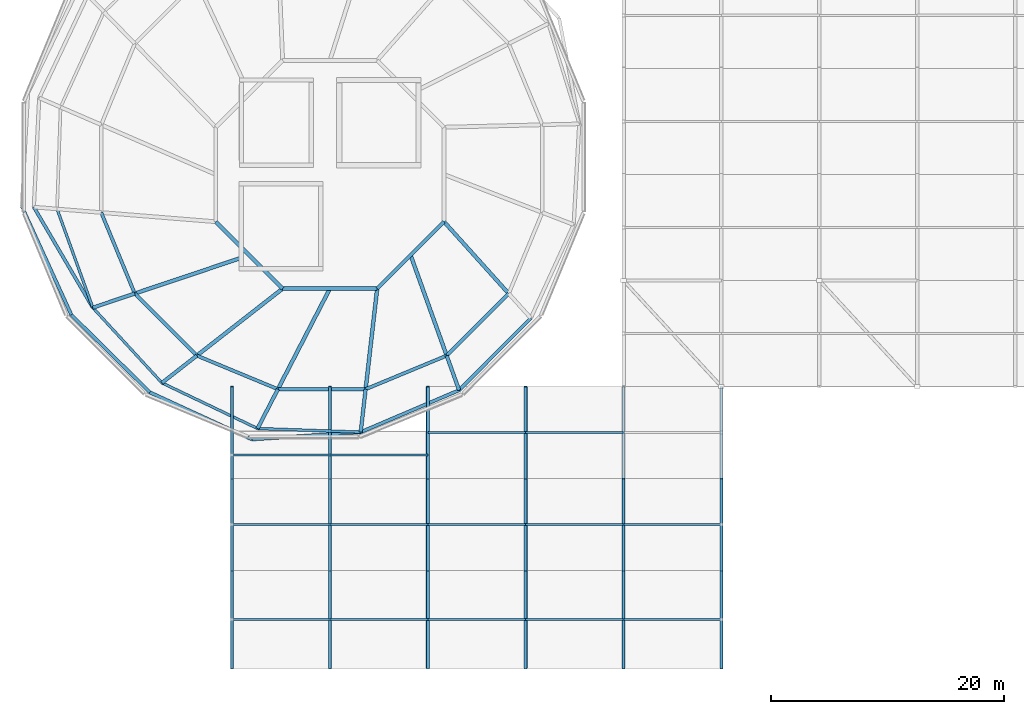
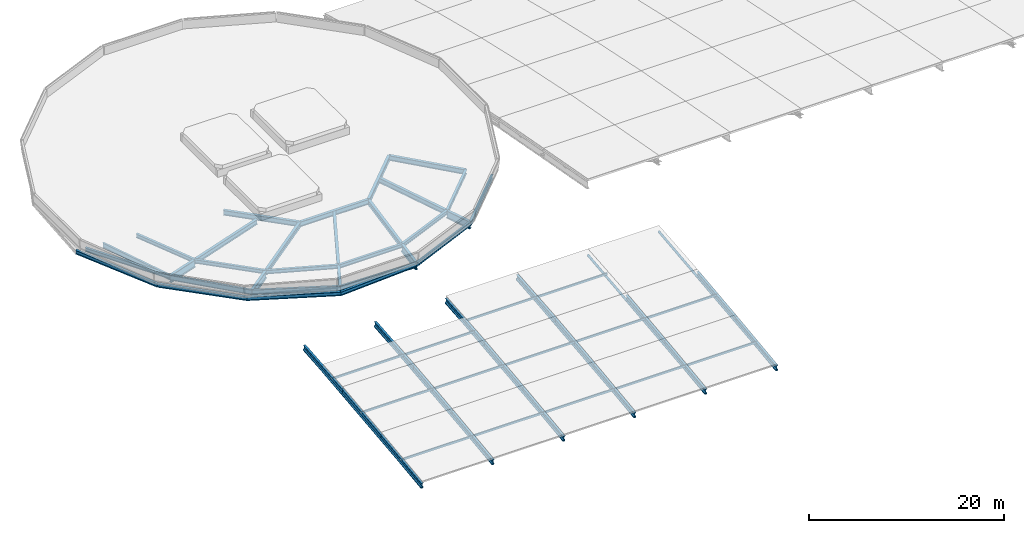
# One storey, part 1 of 12: 47 beams, 20 members.
"""IFC4 building model written with IfcOpenShell, lengths in metres."""

from ifc_helpers import new_model, si_unit, derived_unit, direction, frame, origin, origin_2d, place, context, subcontext, project, spatial, hollow_rectangle, hollow_circle, i_section, extrude, material, material_profile, profile_set, type_object, element, save


model = new_model("IFC4")

# Units and contexts
model_context = context("Model", 3, precision=1e-05, world=origin(), true_north=direction((0.0, 1.0)))
body_context = subcontext(model_context, "Body", "Model", "MODEL_VIEW")
ifc_project = project(units=[si_unit("LENGTHUNIT", "METRE"), si_unit("AREAUNIT", "SQUARE_METRE"), si_unit("VOLUMEUNIT", "CUBIC_METRE"), si_unit("PLANEANGLEUNIT", "RADIAN"), si_unit("MASSUNIT", "GRAM", prefix="KILO"), derived_unit("THERMALTRANSMITTANCEUNIT", [(si_unit("MASSUNIT", "GRAM", prefix="KILO"), 1), (si_unit("TIMEUNIT", "SECOND"), -3), (si_unit("THERMODYNAMICTEMPERATUREUNIT", "KELVIN"), -1)])], contexts=[model_context])

# Site, building, storey
site_placement = place(None, origin())
site = spatial("IfcSite", under=ifc_project, at=site_placement, CompositionType="ELEMENT")
building_placement = place(site_placement, origin())
building = spatial("IfcBuilding", under=site, at=building_placement, Name="Makaiwela Harbour Ferry Terminal", CompositionType="ELEMENT")
storey_placement = place(building_placement, frame((0.0, 0.0, 25.5)))
storey = spatial("IfcBuildingStorey", under=building, at=storey_placement, Name="ROOF", CompositionType="ELEMENT", Elevation=25.5)

# Beams
ifc_material_1 = material(Name="Steel ASTM A992 Grade 50", Category="steel")
ifc_material_profile_1 = material_profile(ifc_material_1, i_section(OverallWidth=0.256103515625, OverallDepth=0.693115234375, WebThickness=0.014404296875, FlangeThickness=0.023681640625, at=origin_2d()), Name="W27X114")
ifc_profile_set_1 = profile_set([ifc_material_profile_1], Name="Steel ASTM A992 Grade 50")
beam_type_1 = type_object("IfcBeamType", Name="STR-ARC-W27X114", PredefinedType="USERDEFINED", material=ifc_profile_set_1)
beam_1_placement = place(storey_placement, frame((29.39990234375, 25.199951171875, -12.23193359375), z_axis=(0.0, 0.992277433024, 0.124038284054), x_axis=(-1.0, 0.0, 0.0)))
element("IfcBeam", 1, at=beam_1_placement, inside=storey, type_object=beam_type_1, Name="Arrivals vault arch rib 5-1", ObjectType="ARCH SEGMENT", PredefinedType="USERDEFINED", context=body_context, shape_type="SweptSolid", body=[
    extrude(i_section(OverallWidth=0.256103515625, OverallDepth=0.693115234375, WebThickness=0.014404296875, FlangeThickness=0.023681640625, at=origin_2d()), origin(), (0.0, 0.0, 1.0), 8.465576171875),
])
beam_2_placement = place(storey_placement, frame((29.39990234375, 33.60009765625, -11.181640625), z_axis=(0.0, 0.993574371107, 0.113181133936), x_axis=(-1.0, 0.0, 0.0)))
element("IfcBeam", 2, at=beam_2_placement, inside=storey, type_object=beam_type_1, Name="Arrivals vault arch rib 5-2", ObjectType="ARCH SEGMENT", PredefinedType="USERDEFINED", context=body_context, shape_type="SweptSolid", body=[
    extrude(i_section(OverallWidth=0.256103515625, OverallDepth=0.693115234375, WebThickness=0.014404296875, FlangeThickness=0.023681640625, at=origin_2d()), origin(), (0.0, 0.0, 1.0), 7.950927734375),
])
beam_3_placement = place(storey_placement, frame((29.39990234375, 41.5, -10.28125), z_axis=(0.0, 0.996097758322, 0.088256761021), x_axis=(-1.0, 0.0, 0.0)))
element("IfcBeam", 3, at=beam_3_placement, inside=storey, type_object=beam_type_1, Name="Arrivals vault arch rib 5-3", ObjectType="ARCH SEGMENT", PredefinedType="USERDEFINED", context=body_context, shape_type="SweptSolid", body=[
    extrude(i_section(OverallWidth=0.256103515625, OverallDepth=0.693115234375, WebThickness=0.014404296875, FlangeThickness=0.023681640625, at=origin_2d()), origin(), (0.0, 0.0, 1.0), 7.930908203125),
])
beam_4_placement = place(storey_placement, frame((37.800048828125, 25.199951171875, -12.23193359375), z_axis=(0.0, 0.992277433024, 0.124038284054), x_axis=(-1.0, 0.0, 0.0)))
element("IfcBeam", 4, at=beam_4_placement, inside=storey, type_object=beam_type_1, Name="Arrivals vault arch rib 6-1", ObjectType="ARCH SEGMENT", PredefinedType="USERDEFINED", context=body_context, shape_type="SweptSolid", body=[
    extrude(i_section(OverallWidth=0.256103515625, OverallDepth=0.693115234375, WebThickness=0.014404296875, FlangeThickness=0.023681640625, at=origin_2d()), origin(), (0.0, 0.0, 1.0), 8.465576171875),
])
beam_5_placement = place(storey_placement, frame((37.800048828125, 33.60009765625, -11.181640625), z_axis=(0.0, 0.993574371107, 0.113181133936), x_axis=(-1.0, 0.0, 0.0)))
element("IfcBeam", 5, at=beam_5_placement, inside=storey, type_object=beam_type_1, Name="Arrivals vault arch rib 6-2", ObjectType="ARCH SEGMENT", PredefinedType="USERDEFINED", context=body_context, shape_type="SweptSolid", body=[
    extrude(i_section(OverallWidth=0.256103515625, OverallDepth=0.693115234375, WebThickness=0.014404296875, FlangeThickness=0.023681640625, at=origin_2d()), origin(), (0.0, 0.0, 1.0), 7.950927734375),
])
beam_6_placement = place(storey_placement, frame((37.800048828125, 41.5, -10.28125), z_axis=(0.0, 0.996097758322, 0.088256761021), x_axis=(-1.0, 0.0, 0.0)))
element("IfcBeam", 6, at=beam_6_placement, inside=storey, type_object=beam_type_1, Name="Arrivals vault arch rib 6-3", ObjectType="ARCH SEGMENT", PredefinedType="USERDEFINED", context=body_context, shape_type="SweptSolid", body=[
    extrude(i_section(OverallWidth=0.256103515625, OverallDepth=0.693115234375, WebThickness=0.014404296875, FlangeThickness=0.023681640625, at=origin_2d()), origin(), (0.0, 0.0, 1.0), 7.930908203125),
])
beam_7_placement = place(storey_placement, frame((46.199951171875, 25.199951171875, -12.23193359375), z_axis=(0.0, 0.992277433024, 0.124038284054), x_axis=(-1.0, 0.0, 0.0)))
element("IfcBeam", 7, at=beam_7_placement, inside=storey, type_object=beam_type_1, Name="Arrivals vault arch rib 7-1", ObjectType="ARCH SEGMENT", PredefinedType="USERDEFINED", context=body_context, shape_type="SweptSolid", body=[
    extrude(i_section(OverallWidth=0.256103515625, OverallDepth=0.693115234375, WebThickness=0.014404296875, FlangeThickness=0.023681640625, at=origin_2d()), origin(), (0.0, 0.0, 1.0), 8.465576171875),
])
beam_8_placement = place(storey_placement, frame((46.199951171875, 33.60009765625, -11.181640625), z_axis=(0.0, 0.993574371107, 0.113181133936), x_axis=(-1.0, 0.0, 0.0)))
element("IfcBeam", 8, at=beam_8_placement, inside=storey, type_object=beam_type_1, Name="Arrivals vault arch rib 7-2", ObjectType="ARCH SEGMENT", PredefinedType="USERDEFINED", context=body_context, shape_type="SweptSolid", body=[
    extrude(i_section(OverallWidth=0.256103515625, OverallDepth=0.693115234375, WebThickness=0.014404296875, FlangeThickness=0.023681640625, at=origin_2d()), origin(), (0.0, 0.0, 1.0), 7.950927734375),
])
beam_9_placement = place(storey_placement, frame((46.199951171875, 41.5, -10.28125), z_axis=(0.0, 0.996097758322, 0.088256761021), x_axis=(-1.0, 0.0, 0.0)))
element("IfcBeam", 9, at=beam_9_placement, inside=storey, type_object=beam_type_1, Name="Arrivals vault arch rib 7-3", ObjectType="ARCH SEGMENT", PredefinedType="USERDEFINED", context=body_context, shape_type="SweptSolid", body=[
    extrude(i_section(OverallWidth=0.256103515625, OverallDepth=0.693115234375, WebThickness=0.014404296875, FlangeThickness=0.023681640625, at=origin_2d()), origin(), (0.0, 0.0, 1.0), 7.930908203125),
])
beam_10_placement = place(storey_placement, frame((54.60009765625, 25.199951171875, -12.23193359375), z_axis=(0.0, 0.992277433024, 0.124038284054), x_axis=(-1.0, 0.0, 0.0)))
element("IfcBeam", 10, at=beam_10_placement, inside=storey, type_object=beam_type_1, Name="Arrivals vault arch rib 8-1", ObjectType="ARCH SEGMENT", PredefinedType="USERDEFINED", context=body_context, shape_type="SweptSolid", body=[
    extrude(i_section(OverallWidth=0.256103515625, OverallDepth=0.693115234375, WebThickness=0.014404296875, FlangeThickness=0.023681640625, at=origin_2d()), origin(), (0.0, 0.0, 1.0), 8.465576171875),
])
beam_11_placement = place(storey_placement, frame((54.60009765625, 33.60009765625, -11.181640625), z_axis=(0.0, 0.993574371107, 0.113181133936), x_axis=(-1.0, 0.0, 0.0)))
element("IfcBeam", 11, at=beam_11_placement, inside=storey, type_object=beam_type_1, Name="Arrivals vault arch rib 8-2", ObjectType="ARCH SEGMENT", PredefinedType="USERDEFINED", context=body_context, shape_type="SweptSolid", body=[
    extrude(i_section(OverallWidth=0.256103515625, OverallDepth=0.693115234375, WebThickness=0.014404296875, FlangeThickness=0.023681640625, at=origin_2d()), origin(), (0.0, 0.0, 1.0), 7.950927734375),
])
beam_12_placement = place(storey_placement, frame((54.60009765625, 41.5, -10.28125), z_axis=(0.0, 0.996097758322, 0.088256761021), x_axis=(-1.0, 0.0, 0.0)))
element("IfcBeam", 12, at=beam_12_placement, inside=storey, type_object=beam_type_1, Name="Arrivals vault arch rib 8-3", ObjectType="ARCH SEGMENT", PredefinedType="USERDEFINED", context=body_context, shape_type="SweptSolid", body=[
    extrude(i_section(OverallWidth=0.256103515625, OverallDepth=0.693115234375, WebThickness=0.014404296875, FlangeThickness=0.023681640625, at=origin_2d()), origin(), (0.0, 0.0, 1.0), 7.930908203125),
])
beam_13_placement = place(storey_placement, frame((63.0, 25.199951171875, -12.23193359375), z_axis=(0.0, 0.992277433024, 0.124038284054), x_axis=(-1.0, 0.0, 0.0)))
element("IfcBeam", 13, at=beam_13_placement, inside=storey, type_object=beam_type_1, Name="Arrivals vault arch rib 9-1", ObjectType="ARCH SEGMENT", PredefinedType="USERDEFINED", context=body_context, shape_type="SweptSolid", body=[
    extrude(i_section(OverallWidth=0.256103515625, OverallDepth=0.693115234375, WebThickness=0.014404296875, FlangeThickness=0.023681640625, at=origin_2d()), origin(), (0.0, 0.0, 1.0), 8.465576171875),
])
beam_14_placement = place(storey_placement, frame((63.0, 33.60009765625, -11.181640625), z_axis=(0.0, 0.993574371107, 0.113181133936), x_axis=(-1.0, 0.0, 0.0)))
element("IfcBeam", 14, at=beam_14_placement, inside=storey, type_object=beam_type_1, Name="Arrivals vault arch rib 9-2", ObjectType="ARCH SEGMENT", PredefinedType="USERDEFINED", context=body_context, shape_type="SweptSolid", body=[
    extrude(i_section(OverallWidth=0.256103515625, OverallDepth=0.693115234375, WebThickness=0.014404296875, FlangeThickness=0.023681640625, at=origin_2d()), origin(), (0.0, 0.0, 1.0), 7.950927734375),
])
beam_15_placement = place(storey_placement, frame((71.39990234375, 25.199951171875, -12.23193359375), z_axis=(0.0, 0.992277433024, 0.124038284054), x_axis=(-1.0, 0.0, 0.0)))
element("IfcBeam", 15, at=beam_15_placement, inside=storey, type_object=beam_type_1, Name="Arrivals vault arch rib 10-1", ObjectType="ARCH SEGMENT", PredefinedType="USERDEFINED", context=body_context, shape_type="SweptSolid", body=[
    extrude(i_section(OverallWidth=0.256103515625, OverallDepth=0.693115234375, WebThickness=0.014404296875, FlangeThickness=0.023681640625, at=origin_2d()), origin(), (0.0, 0.0, 1.0), 8.465576171875),
])
beam_16_placement = place(storey_placement, frame((71.39990234375, 33.60009765625, -11.181640625), z_axis=(0.0, 0.993574371107, 0.113181133936), x_axis=(-1.0, 0.0, 0.0)))
element("IfcBeam", 16, at=beam_16_placement, inside=storey, type_object=beam_type_1, Name="Arrivals vault arch rib 10-2", ObjectType="ARCH SEGMENT", PredefinedType="USERDEFINED", context=body_context, shape_type="SweptSolid", body=[
    extrude(i_section(OverallWidth=0.256103515625, OverallDepth=0.693115234375, WebThickness=0.014404296875, FlangeThickness=0.023681640625, at=origin_2d()), origin(), (0.0, 0.0, 1.0), 7.950927734375),
])
ifc_material_profile_2 = material_profile(ifc_material_1, i_section(OverallWidth=0.280029296875, OverallDepth=0.462890625, WebThickness=0.0107421875, FlangeThickness=0.017333984375, at=origin_2d()), Name="W18X76")
ifc_profile_set_2 = profile_set([ifc_material_profile_2], Name="Steel ASTM A992 Grade 50")
beam_type_2 = type_object("IfcBeamType", Name="STR-BM-W18X76", PredefinedType="BEAM", material=ifc_profile_set_2)
beam_17_placement = place(storey_placement, frame((12.389404296875, 64.7998046875, -0.651611328125), z_axis=(0.505785874626, -0.862659057234, 0.0), x_axis=(0.862659057234, 0.505785874626, 0.0)))
element("IfcBeam", 17, at=beam_17_placement, inside=storey, type_object=beam_type_2, Name="Drum stage2 tie girder 692", PredefinedType="BEAM", context=body_context, shape_type="SweptSolid", body=[
    extrude(i_section(OverallWidth=0.280029296875, OverallDepth=0.462890625, WebThickness=0.0107421875, FlangeThickness=0.017333984375, at=origin_2d()), origin(), (0.0, 0.0, 1.0), 10.005859375),
])

# Members
ifc_material_2 = material(Name="Steel ASTM A500 Grade C", Category="steel")
ifc_material_profile_3 = material_profile(ifc_material_2, hollow_circle(Radius=0.136474609375, WallThickness=0.0126953125, at=origin_2d()), Name="PIPE10XS")
ifc_profile_set_3 = profile_set([ifc_material_profile_3], Name="Steel ASTM A500 Grade C")
member_type_1 = type_object("IfcMemberType", Name="STR-CLR-PIPE10", PredefinedType="COLLAR", material=ifc_profile_set_3)
for number, where, z_axis, x_axis, name in (
    (18, (29.39990234375, 25.199951171875, -12.449951171875), (0.0, 0.994058220011, 0.10884969099), (-1.0, 0.0, 0.0), "Arrivals vault tension tie 5"),
    (19, (37.800048828125, 25.199951171875, -12.449951171875), (0.0, 0.994058220011, 0.10884969099), (-1.0, 0.0, 0.0), "Arrivals vault tension tie 6"),
    (20, (46.199951171875, 25.199951171875, -12.449951171875), (0.0, 0.994058220011, 0.10884969099), (-1.0, 0.0, 0.0), "Arrivals vault tension tie 7"),
    (21, (54.60009765625, 25.199951171875, -12.449951171875), (0.0, 0.994058220011, 0.10884969099), (-1.0, 0.0, 0.0), "Arrivals vault tension tie 8"),
    (22, (63.0, 25.199951171875, -12.449951171875), (0.0, 0.994058220011, 0.10884969099), (-1.0, 0.0, 0.0), "Arrivals vault tension tie 9"),
    (23, (71.39990234375, 25.199951171875, -12.449951171875), (0.0, 0.994058220011, 0.10884969099), (-1.0, 0.0, 0.0), "Arrivals vault tension tie 10"),
):
    element("IfcMember", number, at=place(storey_placement, frame(where, z_axis=z_axis, x_axis=x_axis)), inside=storey, type_object=member_type_1, Name=name, PredefinedType="COLLAR", context=body_context, shape_type="SweptSolid", body=[
        extrude(hollow_circle(Radius=0.136474609375, WallThickness=0.0126953125, at=origin_2d()), origin(), (0.0, 0.0, 1.0), 24.344482421875),
    ])

# Beams
ifc_material_profile_4 = material_profile(ifc_material_1, i_section(OverallWidth=0.324951171875, OverallDepth=0.615966796875, WebThickness=0.013916015625, FlangeThickness=0.021484375, at=origin_2d()), Name="W24X117")
ifc_profile_set_4 = profile_set([ifc_material_profile_4], Name="Steel ASTM A992 Grade 50")
beam_type_3 = type_object("IfcBeamType", Name="STR-GRD-W24X117", PredefinedType="USERDEFINED", material=ifc_profile_set_4)
beam_18_placement = place(storey_placement, frame((28.0068359375, 63.543701171875, -0.72802734375), z_axis=(0.707106781187, -0.707106781187, 0.0), x_axis=(0.707106781187, 0.707106781187, 0.0)))
element("IfcBeam", 24, at=beam_18_placement, inside=storey, type_object=beam_type_3, Name="Drum inner ring girder 622", ObjectType="GIRDER", PredefinedType="USERDEFINED", context=body_context, shape_type="SweptSolid", body=[
    extrude(i_section(OverallWidth=0.324951171875, OverallDepth=0.615966796875, WebThickness=0.013916015625, FlangeThickness=0.021484375, at=origin_2d()), origin(), (0.0, 0.0, 1.0), 8.113037109375),
])
for number, where, z_axis, x_axis, name in (
    (25, (33.74365234375, 57.806884765625, -0.72802734375), (1.0, 0.0, 0.0), (0.0, 1.0, 0.0), "Drum inner ring girder 623"),
    (26, (41.8564453125, 57.806884765625, -0.72802734375), (0.707091734601, 0.707121827452, 0.0), (-0.707121827452, 0.707091734601, 0.0), "Drum inner ring girder 624"),
):
    element("IfcBeam", number, at=place(storey_placement, frame(where, z_axis=z_axis, x_axis=x_axis)), inside=storey, type_object=beam_type_3, Name=name, ObjectType="GIRDER", PredefinedType="USERDEFINED", context=body_context, shape_type="SweptSolid", body=[
        extrude(i_section(OverallWidth=0.324951171875, OverallDepth=0.615966796875, WebThickness=0.013916015625, FlangeThickness=0.021484375, at=origin_2d()), origin(), (0.0, 0.0, 1.0), 8.11279296875),
    ])
beam_19_placement = place(storey_placement, frame((30.159912109375, 60.43505859375, -0.72802734375), z_axis=(-0.948000034107, -0.31827022376, 0.0), x_axis=(0.31827022376, -0.948000034107, 0.0)))
element("IfcBeam", 27, at=beam_19_placement, inside=storey, type_object=beam_type_3, Name="Drum radial girder 665", ObjectType="GIRDER", PredefinedType="USERDEFINED", context=body_context, shape_type="SweptSolid", body=[
    extrude(i_section(OverallWidth=0.324951171875, OverallDepth=0.615966796875, WebThickness=0.013916015625, FlangeThickness=0.021484375, at=origin_2d()), origin(), (0.0, 0.0, 1.0), 9.60693359375),
])
beam_20_placement = place(storey_placement, frame((33.74365234375, 57.806884765625, -0.72802734375), z_axis=(-0.78804813165, -0.615613630618, 0.0), x_axis=(0.615613630618, -0.78804813165, 0.0)))
element("IfcBeam", 28, at=beam_20_placement, inside=storey, type_object=beam_type_3, Name="Drum radial girder 667", ObjectType="GIRDER", PredefinedType="USERDEFINED", context=body_context, shape_type="SweptSolid", body=[
    extrude(i_section(OverallWidth=0.324951171875, OverallDepth=0.615966796875, WebThickness=0.013916015625, FlangeThickness=0.021484375, at=origin_2d()), origin(), (0.0, 0.0, 1.0), 9.347412109375),
])
beam_21_placement = place(storey_placement, frame((37.800048828125, 57.806884765625, -0.72802734375), z_axis=(-0.459296530257, -0.888283005181, 0.0), x_axis=(0.888283005181, -0.459296530257, 0.0)))
element("IfcBeam", 29, at=beam_21_placement, inside=storey, type_object=beam_type_3, Name="Drum radial girder 669", ObjectType="GIRDER", PredefinedType="USERDEFINED", context=body_context, shape_type="SweptSolid", body=[
    extrude(i_section(OverallWidth=0.324951171875, OverallDepth=0.615966796875, WebThickness=0.013916015625, FlangeThickness=0.021484375, at=origin_2d()), origin(), (0.0, 0.0, 1.0), 9.72216796875),
])
beam_22_placement = place(storey_placement, frame((41.8564453125, 57.806884765625, -0.72802734375), z_axis=(-0.11402817728, -0.993477515994, 0.0), x_axis=(0.993477515994, -0.11402817728, 0.0)))
element("IfcBeam", 30, at=beam_22_placement, inside=storey, type_object=beam_type_3, Name="Drum radial girder 671", ObjectType="GIRDER", PredefinedType="USERDEFINED", context=body_context, shape_type="SweptSolid", body=[
    extrude(i_section(OverallWidth=0.324951171875, OverallDepth=0.615966796875, WebThickness=0.013916015625, FlangeThickness=0.021484375, at=origin_2d()), origin(), (0.0, 0.0, 1.0), 8.692626953125),
])
beam_23_placement = place(storey_placement, frame((44.724853515625, 60.67529296875, -0.72802734375), z_axis=(0.338086262621, -0.941115125278, 0.0), x_axis=(0.941115125278, 0.338086262621, 0.0)))
element("IfcBeam", 31, at=beam_23_placement, inside=storey, type_object=beam_type_3, Name="Drum radial girder 673", ObjectType="GIRDER", PredefinedType="USERDEFINED", context=body_context, shape_type="SweptSolid", body=[
    extrude(i_section(OverallWidth=0.324951171875, OverallDepth=0.615966796875, WebThickness=0.013916015625, FlangeThickness=0.021484375, at=origin_2d()), origin(), (0.0, 0.0, 1.0), 9.162353515625),
])
beam_24_placement = place(storey_placement, frame((47.593017578125, 63.543701171875, -0.72802734375), z_axis=(0.669284852474, -0.743005912661, 0.0), x_axis=(0.743005912661, 0.669284852474, 0.0)))
element("IfcBeam", 32, at=beam_24_placement, inside=storey, type_object=beam_type_3, Name="Drum radial girder 675", ObjectType="GIRDER", PredefinedType="USERDEFINED", context=body_context, shape_type="SweptSolid", body=[
    extrude(i_section(OverallWidth=0.324951171875, OverallDepth=0.615966796875, WebThickness=0.013916015625, FlangeThickness=0.021484375, at=origin_2d()), origin(), (0.0, 0.0, 1.0), 8.299072265625),
])
ifc_material_profile_5 = material_profile(ifc_material_1, i_section(OverallWidth=0.22900390625, OverallDepth=0.612060546875, WebThickness=0.011962890625, FlangeThickness=0.01953125, at=origin_2d()), Name="W24X84")
ifc_profile_set_5 = profile_set([ifc_material_profile_5], Name="Steel ASTM A992 Grade 50")
beam_type_4 = type_object("IfcBeamType", Name="STR-GRD-W24X84", PredefinedType="USERDEFINED", material=ifc_profile_set_5)
beam_25_placement = place(storey_placement, frame((14.383056640625, 64.639404296875, -0.72607421875), z_axis=(0.340439431339, -0.940266448189, 0.0), x_axis=(0.940266448189, 0.340439431339, 0.0)))
element("IfcBeam", 33, at=beam_25_placement, inside=storey, type_object=beam_type_4, Name="Drum overhang tie girder 691", ObjectType="GIRDER", PredefinedType="USERDEFINED", context=body_context, shape_type="SweptSolid", body=[
    extrude(i_section(OverallWidth=0.22900390625, OverallDepth=0.612060546875, WebThickness=0.011962890625, FlangeThickness=0.01953125, at=origin_2d()), origin(), (0.0, 0.0, 1.0), 9.00927734375),
])
beam_26_placement = place(storey_placement, frame((17.4501953125, 56.168212890625, -0.72607421875), z_axis=(0.676696289264, -0.73626227127, 0.0), x_axis=(0.73626227127, 0.676696289264, 0.0)))
element("IfcBeam", 34, at=beam_26_placement, inside=storey, type_object=beam_type_4, Name="Drum overhang tie girder 693", ObjectType="GIRDER", PredefinedType="USERDEFINED", context=body_context, shape_type="SweptSolid", body=[
    extrude(i_section(OverallWidth=0.22900390625, OverallDepth=0.612060546875, WebThickness=0.011962890625, FlangeThickness=0.01953125, at=origin_2d()), origin(), (0.0, 0.0, 1.0), 8.76708984375),
])
beam_27_placement = place(storey_placement, frame((23.3828125, 49.71337890625, -0.72607421875), z_axis=(0.902434308602, -0.430827481316, 0.0), x_axis=(0.430827481316, 0.902434308602, 0.0)))
element("IfcBeam", 35, at=beam_27_placement, inside=storey, type_object=beam_type_4, Name="Drum overhang tie girder 694", ObjectType="GIRDER", PredefinedType="USERDEFINED", context=body_context, shape_type="SweptSolid", body=[
    extrude(i_section(OverallWidth=0.22900390625, OverallDepth=0.612060546875, WebThickness=0.011962890625, FlangeThickness=0.01953125, at=origin_2d()), origin(), (0.0, 0.0, 1.0), 9.093994140625),
])
beam_28_placement = place(storey_placement, frame((31.589599609375, 45.79541015625, -0.72607421875), z_axis=(0.999398743324, -0.034672061419, 0.0), x_axis=(0.034672061419, 0.999398743324, 0.0)))
element("IfcBeam", 36, at=beam_28_placement, inside=storey, type_object=beam_type_4, Name="Drum overhang tie girder 695", ObjectType="GIRDER", PredefinedType="USERDEFINED", context=body_context, shape_type="SweptSolid", body=[
    extrude(i_section(OverallWidth=0.22900390625, OverallDepth=0.612060546875, WebThickness=0.011962890625, FlangeThickness=0.01953125, at=origin_2d()), origin(), (0.0, 0.0, 1.0), 8.858154296875),
])
ifc_material_profile_6 = material_profile(ifc_material_1, i_section(OverallWidth=0.31005859375, OverallDepth=0.949951171875, WebThickness=0.0244140625, FlangeThickness=0.0439453125, at=origin_2d()), Name="W36X256")
ifc_profile_set_6 = profile_set([ifc_material_profile_6], Name="Steel ASTM A992 Grade 50")
beam_type_5 = type_object("IfcBeamType", Name="STR-GRD-W36X256", PredefinedType="USERDEFINED", material=ifc_profile_set_6)
for number, where, z_axis, x_axis, name in (
    (37, (21.052490234375, 57.37744140625, -0.89501953125), (-0.948012977156, -0.318231668984, 0.0), (0.318231668984, -0.948012977156, 0.0), "Drum radial overhang 666"),
    (38, (26.37744140625, 52.052490234375, -0.89501953125), (-0.788080866077, -0.615571724921, 0.0), (0.615571724921, -0.788080866077, 0.0), "Drum radial overhang 668"),
    (39, (33.334716796875, 49.1708984375, -0.89501953125), (-0.459251619931, -0.888306225122, 0.0), (0.888306225122, -0.459251619931, 0.0), "Drum radial overhang 670"),
):
    element("IfcBeam", number, at=place(storey_placement, frame(where, z_axis=z_axis, x_axis=x_axis)), inside=storey, type_object=beam_type_5, Name=name, ObjectType="GIRDER", PredefinedType="USERDEFINED", context=body_context, shape_type="SweptSolid", body=[
        extrude(i_section(OverallWidth=0.31005859375, OverallDepth=0.949951171875, WebThickness=0.0244140625, FlangeThickness=0.0439453125, at=origin_2d()), origin(), (0.0, 0.0, 1.0), 3.7998046875),
    ])
beam_29_placement = place(storey_placement, frame((40.865234375, 49.1708984375, -0.89501953125), z_axis=(-0.114074113237, -0.993472242536, 0.0), x_axis=(0.993472242536, -0.114074113237, 0.0)))
element("IfcBeam", 40, at=beam_29_placement, inside=storey, type_object=beam_type_5, Name="Drum radial overhang 672", ObjectType="GIRDER", PredefinedType="USERDEFINED", context=body_context, shape_type="SweptSolid", body=[
    extrude(i_section(OverallWidth=0.31005859375, OverallDepth=0.949951171875, WebThickness=0.0244140625, FlangeThickness=0.0439453125, at=origin_2d()), origin(), (0.0, 0.0, 1.0), 3.706787109375),
])
beam_30_placement = place(storey_placement, frame((47.822509765625, 52.052490234375, -0.89501953125), z_axis=(0.33810225832, -0.941109378829, 0.0), x_axis=(0.941109378829, 0.33810225832, 0.0)))
element("IfcBeam", 41, at=beam_30_placement, inside=storey, type_object=beam_type_5, Name="Drum radial overhang 674", ObjectType="GIRDER", PredefinedType="USERDEFINED", context=body_context, shape_type="SweptSolid", body=[
    extrude(i_section(OverallWidth=0.31005859375, OverallDepth=0.949951171875, WebThickness=0.0244140625, FlangeThickness=0.0439453125, at=origin_2d()), origin(), (0.0, 0.0, 1.0), 3.15185546875),
])

# Members
ifc_material_profile_7 = material_profile(ifc_material_2, hollow_rectangle(XDim=0.152099609375, YDim=0.25390625, WallThickness=0.0087890625, at=origin_2d()), Name="HSS10X6X3/8")
ifc_profile_set_7 = profile_set([ifc_material_profile_7], Name="Steel ASTM A500 Grade C")
member_type_2 = type_object("IfcMemberType", Name="STR-PRL-HSS10X6", PredefinedType="PURLIN", material=ifc_profile_set_7)
for number, where, z_axis, x_axis, name in (
    (42, (29.39990234375, 29.39990234375, -11.4873046875), (1.0, 0.0, 0.0), (0.0, 1.0, 0.0), "Structural Member PR-01"),
    (43, (29.39990234375, 37.550048828125, -10.51220703125), (1.0, 0.0, 0.0), (0.0, 1.0, 0.0), "Structural Member PR-01"),
    (44, (29.39990234375, 43.52490234375, -9.88232421875), (1.0, 0.0, 0.0), (0.0, 1.0, 0.0), "Structural Member PR-01"),
):
    element("IfcMember", number, at=place(storey_placement, frame(where, z_axis=z_axis, x_axis=x_axis)), inside=storey, type_object=member_type_2, Name=name, PredefinedType="PURLIN", context=body_context, shape_type="SweptSolid", body=[
        extrude(hollow_rectangle(XDim=0.152099609375, YDim=0.25390625, WallThickness=0.0087890625, at=origin_2d()), origin(), (0.0, 0.0, 1.0), 8.400146484375),
    ])
for number, where, z_axis, x_axis, name in (
    (45, (37.800048828125, 29.39990234375, -11.4873046875), (1.0, 0.0, 0.0), (0.0, 1.0, 0.0), "Structural Member PR-01"),
    (46, (37.800048828125, 37.550048828125, -10.51220703125), (1.0, 0.0, 0.0), (0.0, 1.0, 0.0), "Structural Member PR-01"),
    (47, (37.800048828125, 43.52490234375, -9.88232421875), (1.0, 0.0, 0.0), (0.0, 1.0, 0.0), "Structural Member PR-01"),
):
    element("IfcMember", number, at=place(storey_placement, frame(where, z_axis=z_axis, x_axis=x_axis)), inside=storey, type_object=member_type_2, Name=name, PredefinedType="PURLIN", context=body_context, shape_type="SweptSolid", body=[
        extrude(hollow_rectangle(XDim=0.152099609375, YDim=0.25390625, WallThickness=0.0087890625, at=origin_2d()), origin(), (0.0, 0.0, 1.0), 8.39990234375),
    ])
for number, where, z_axis, x_axis, name in (
    (48, (46.199951171875, 29.39990234375, -11.4873046875), (1.0, 0.0, 0.0), (0.0, 1.0, 0.0), "Structural Member PR-01"),
    (49, (46.199951171875, 37.550048828125, -10.51220703125), (1.0, 0.0, 0.0), (0.0, 1.0, 0.0), "Structural Member PR-01"),
    (50, (46.199951171875, 45.449951171875, -9.711669921875), (1.0, 0.0, 0.0), (0.0, 1.0, 0.0), "Structural Member PR-01"),
):
    element("IfcMember", number, at=place(storey_placement, frame(where, z_axis=z_axis, x_axis=x_axis)), inside=storey, type_object=member_type_2, Name=name, PredefinedType="PURLIN", context=body_context, shape_type="SweptSolid", body=[
        extrude(hollow_rectangle(XDim=0.152099609375, YDim=0.25390625, WallThickness=0.0087890625, at=origin_2d()), origin(), (0.0, 0.0, 1.0), 8.400146484375),
    ])
for number, where, z_axis, x_axis, name in (
    (51, (54.60009765625, 29.39990234375, -11.4873046875), (1.0, 0.0, 0.0), (0.0, 1.0, 0.0), "Structural Member PR-01"),
    (52, (54.60009765625, 37.550048828125, -10.51220703125), (1.0, 0.0, 0.0), (0.0, 1.0, 0.0), "Structural Member PR-01"),
    (53, (54.60009765625, 45.449951171875, -9.711669921875), (1.0, 0.0, 0.0), (0.0, 1.0, 0.0), "Structural Member PR-01"),
    (54, (63.0, 29.39990234375, -11.4873046875), (1.0, 0.0, 0.0), (0.0, 1.0, 0.0), "Structural Member PR-01"),
    (55, (63.0, 37.550048828125, -10.51220703125), (1.0, 0.0, 0.0), (0.0, 1.0, 0.0), "Structural Member PR-01"),
):
    element("IfcMember", number, at=place(storey_placement, frame(where, z_axis=z_axis, x_axis=x_axis)), inside=storey, type_object=member_type_2, Name=name, PredefinedType="PURLIN", context=body_context, shape_type="SweptSolid", body=[
        extrude(hollow_rectangle(XDim=0.152099609375, YDim=0.25390625, WallThickness=0.0087890625, at=origin_2d()), origin(), (0.0, 0.0, 1.0), 8.39990234375),
    ])

# Beams
ifc_material_profile_8 = material_profile(ifc_material_1, i_section(OverallWidth=0.283935546875, OverallDepth=0.47607421875, WebThickness=0.014892578125, FlangeThickness=0.02392578125, at=origin_2d()), Name="W18X106")
ifc_profile_set_8 = profile_set([ifc_material_profile_8], Name="Steel ASTM A992 Grade 50")
beam_type_6 = type_object("IfcBeamType", Name="STR-SPN-W18X106", PredefinedType="SPANDREL", material=ifc_profile_set_8)
for number, where, z_axis, x_axis, name in (
    (56, (18.1708984375, 64.334716796875, -0.657958984375), (0.382660079618, -0.92388920519, 0.0), (0.92388920519, 0.382660079618, 0.0), "Drum column ring girder 634"),
    (57, (21.052490234375, 57.37744140625, -0.657958984375), (0.707106781187, -0.707106781187, 0.0), (0.707106781187, 0.707106781187, 0.0), "Drum column ring girder 635"),
    (58, (26.37744140625, 52.052490234375, -0.657958984375), (0.92388920519, -0.382660079618, 0.0), (0.382660079618, 0.92388920519, 0.0), "Drum column ring girder 636"),
    (59, (33.334716796875, 49.1708984375, -0.657958984375), (1.0, 0.0, 0.0), (0.0, 1.0, 0.0), "Drum column ring girder 637"),
    (60, (40.865234375, 49.1708984375, -0.657958984375), (0.92388920519, 0.382660079618, 0.0), (-0.382660079618, 0.92388920519, 0.0), "Drum column ring girder 638"),
    (61, (47.822509765625, 52.052490234375, -0.657958984375), (0.707106781187, 0.707106781187, 0.0), (-0.707106781187, 0.707106781187, 0.0), "Drum column ring girder 639"),
):
    element("IfcBeam", number, at=place(storey_placement, frame(where, z_axis=z_axis, x_axis=x_axis)), inside=storey, type_object=beam_type_6, Name=name, PredefinedType="SPANDREL", context=body_context, shape_type="SweptSolid", body=[
        extrude(i_section(OverallWidth=0.283935546875, OverallDepth=0.47607421875, WebThickness=0.014892578125, FlangeThickness=0.02392578125, at=origin_2d()), origin(), (0.0, 0.0, 1.0), 7.530517578125),
    ])
beam_31_placement = place(storey_placement, frame((11.343017578125, 64.884033203125, -0.657958984375), z_axis=(0.41577887466, -0.909465737335, 0.0), x_axis=(0.909465737335, 0.41577887466, 0.0)))
element("IfcBeam", 62, at=beam_31_placement, inside=storey, type_object=beam_type_6, Name="Drum perimeter spandrel 704", PredefinedType="SPANDREL", context=body_context, shape_type="SweptSolid", body=[
    extrude(i_section(OverallWidth=0.283935546875, OverallDepth=0.47607421875, WebThickness=0.014892578125, FlangeThickness=0.02392578125, at=origin_2d()), origin(), (0.0, 0.0, 1.0), 10.262939453125),
])
beam_32_placement = place(storey_placement, frame((15.610107421875, 55.55029296875, -0.657958984375), z_axis=(0.71170967488, -0.702473728108, 0.0), x_axis=(0.702473728108, 0.71170967488, 0.0)))
element("IfcBeam", 63, at=beam_32_placement, inside=storey, type_object=beam_type_6, Name="Drum perimeter spandrel 705", PredefinedType="SPANDREL", context=body_context, shape_type="SweptSolid", body=[
    extrude(i_section(OverallWidth=0.283935546875, OverallDepth=0.47607421875, WebThickness=0.014892578125, FlangeThickness=0.02392578125, at=origin_2d()), origin(), (0.0, 0.0, 1.0), 9.46337890625),
])
beam_33_placement = place(storey_placement, frame((22.34521484375, 48.902587890625, -0.657958984375), z_axis=(0.908119281733, -0.418711559602, 0.0), x_axis=(0.418711559602, 0.908119281733, 0.0)))
element("IfcBeam", 64, at=beam_33_placement, inside=storey, type_object=beam_type_6, Name="Drum perimeter spandrel 706", PredefinedType="SPANDREL", context=body_context, shape_type="SweptSolid", body=[
    extrude(i_section(OverallWidth=0.283935546875, OverallDepth=0.47607421875, WebThickness=0.014892578125, FlangeThickness=0.02392578125, at=origin_2d()), origin(), (0.0, 0.0, 1.0), 9.648681640625),
])
beam_34_placement = place(storey_placement, frame((31.107421875, 44.862548828125, -0.657958984375), z_axis=(0.997760960275, 0.066880984967, 0.0), x_axis=(-0.066880984967, 0.997760960275, 0.0)))
element("IfcBeam", 65, at=beam_34_placement, inside=storey, type_object=beam_type_6, Name="Drum perimeter spandrel 707", PredefinedType="SPANDREL", context=body_context, shape_type="SweptSolid", body=[
    extrude(i_section(OverallWidth=0.283935546875, OverallDepth=0.47607421875, WebThickness=0.014892578125, FlangeThickness=0.02392578125, at=origin_2d()), origin(), (0.0, 0.0, 1.0), 9.35595703125),
])
beam_35_placement = place(storey_placement, frame((40.4423828125, 45.48828125, -0.657958984375), z_axis=(0.91999983017, 0.391918757508, 0.0), x_axis=(-0.391918757508, 0.91999983017, 0.0)))
element("IfcBeam", 66, at=beam_35_placement, inside=storey, type_object=beam_type_6, Name="Drum perimeter spandrel 708", PredefinedType="SPANDREL", context=body_context, shape_type="SweptSolid", body=[
    extrude(i_section(OverallWidth=0.283935546875, OverallDepth=0.47607421875, WebThickness=0.014892578125, FlangeThickness=0.02392578125, at=origin_2d()), origin(), (0.0, 0.0, 1.0), 9.18017578125),
])
beam_36_placement = place(storey_placement, frame((48.88818359375, 49.086181640625, -0.657958984375), z_axis=(0.705201900432, 0.709006544135, 0.0), x_axis=(-0.709006544135, 0.705201900432, 0.0)))
element("IfcBeam", 67, at=beam_36_placement, inside=storey, type_object=beam_type_6, Name="Drum perimeter spandrel 709", PredefinedType="SPANDREL", context=body_context, shape_type="SweptSolid", body=[
    extrude(i_section(OverallWidth=0.283935546875, OverallDepth=0.47607421875, WebThickness=0.014892578125, FlangeThickness=0.02392578125, at=origin_2d()), origin(), (0.0, 0.0, 1.0), 8.72705078125),
])

save(model, "model.ifc")
